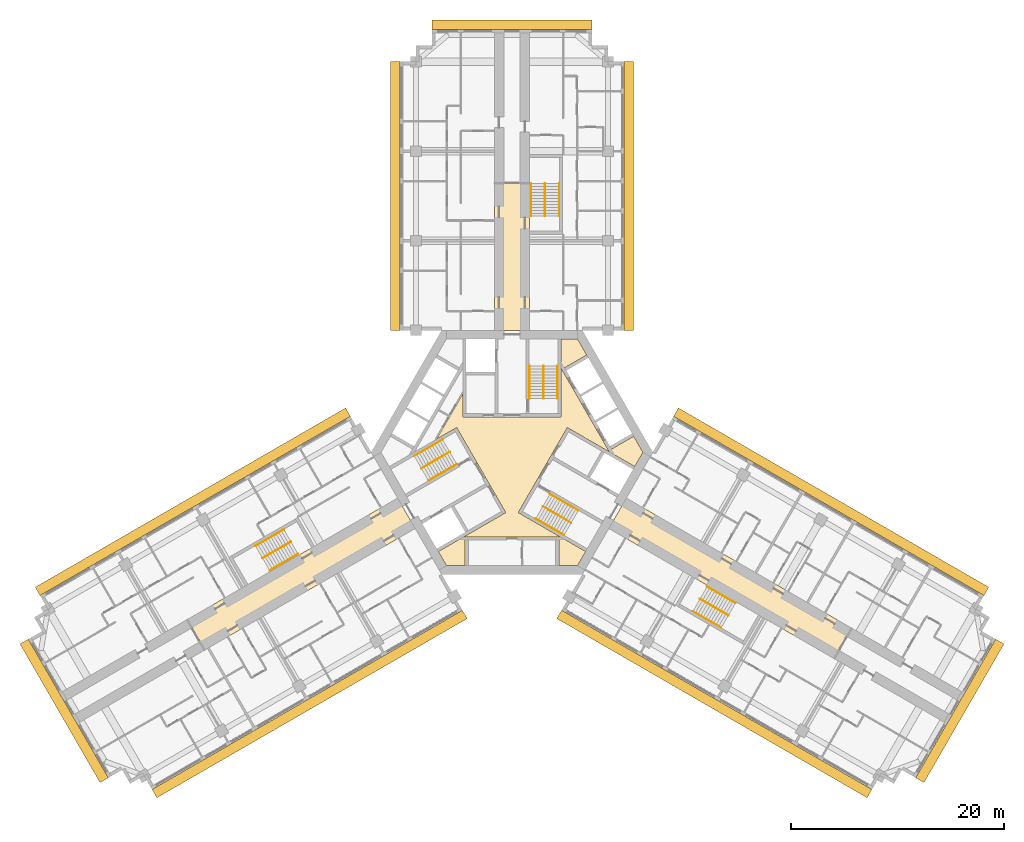
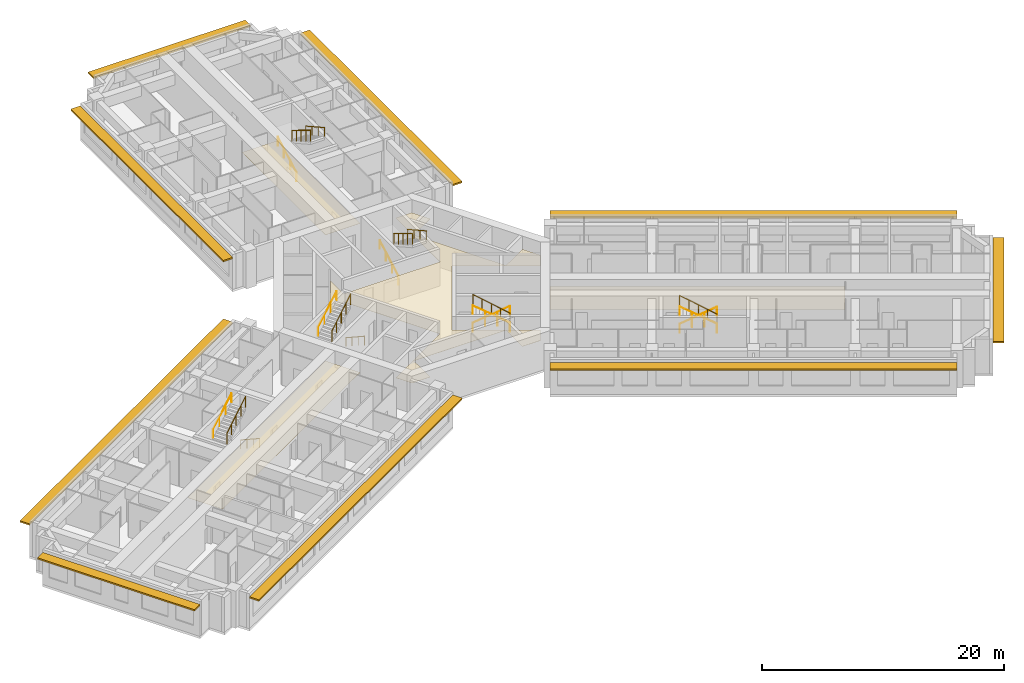
# One storey, part 14 of 14: 18 railings, 4 coverings, 3 shading devices.
"""IFC4 building model written with IfcOpenShell, lengths in metres."""

from ifc_helpers import new_model, si_unit, direction, frame, origin, origin_2d, place, context, subcontext, project, spatial, polyline, rectangle, circle, outline, extrude, material, layer, layer_set, type_object, element, save


model = new_model("IFC4")

# Units and contexts
model_context = context("Model", 3, precision=1e-05, world=origin(), true_north=direction((0.0, 1.0)))
body_context = subcontext(model_context, "Body", "Model", "MODEL_VIEW")
ifc_project = project(units=[si_unit("LENGTHUNIT", "METRE"), si_unit("AREAUNIT", "SQUARE_METRE"), si_unit("VOLUMEUNIT", "CUBIC_METRE"), si_unit("PLANEANGLEUNIT", "RADIAN"), si_unit("MASSUNIT", "GRAM", prefix="KILO")], contexts=[model_context])

# Site, building, storey
site_placement = place(None, origin())
site = spatial("IfcSite", under=ifc_project, at=site_placement, CompositionType="ELEMENT")
building_placement = place(site_placement, origin())
building = spatial("IfcBuilding", under=site, at=building_placement, Name="Impinga Residences", CompositionType="ELEMENT")
storey_placement = place(building_placement, frame((0.0, 0.0, 117.25)))
storey = spatial("IfcBuildingStorey", under=building, at=storey_placement, Name="L28", CompositionType="ELEMENT", Elevation=117.25)

# Coverings
ifc_material_1 = material(Name="Plasterboard 15 mm on steel hangers", Category="steel")
ifc_layer_1 = layer(ifc_material_1, 0.014892578125)
ifc_layer_set_1 = layer_set([ifc_layer_1], Name="Plasterboard 15 mm on steel hangers")
covering_type_1 = type_object("IfcCoveringType", Name="CL1 corridor ceiling, 15 mm plasterboard on hangers", PredefinedType="CEILING", material=ifc_layer_set_1)
covering_1_placement = place(storey_placement, frame((0.0, 0.0, 2.39990234375)))
element("IfcCovering", 1, at=covering_1_placement, inside=storey, type_object=covering_type_1, Name="Corridor ceiling CL1 L28-N00", PredefinedType="CEILING", context=body_context, shape_type="SweptSolid", body=[
    extrude(outline(polyline([(-1.64990234375, 11.431640625), (1.64990234375, 11.431640625), (1.64990234375, 25.181640625), (-1.64990234375, 25.181640625), (-1.64990234375, 11.431640625)])), origin(), (0.0, 0.0, 1.0), 0.01513671875),
])
covering_2_placement = place(storey_placement, frame((0.0, 0.0, 2.39990234375)))
element("IfcCovering", 2, at=covering_2_placement, inside=storey, type_object=covering_type_1, Name="Corridor ceiling CL1 L28-W00", PredefinedType="CEILING", context=body_context, shape_type="SweptSolid", body=[
    extrude(outline(polyline([(-9.074951171875, -7.144775390625), (-10.72509765625, -4.286865234375), (-30.427001953125, -15.661865234375), (-28.777099609375, -18.519775390625), (-9.074951171875, -7.144775390625)])), origin(), (0.0, 0.0, 1.0), 0.01513671875),
])
covering_3_placement = place(storey_placement, frame((0.0, 0.0, 2.39990234375)))
element("IfcCovering", 3, at=covering_3_placement, inside=storey, type_object=covering_type_1, Name="Corridor ceiling CL1 L28-E00", PredefinedType="CEILING", context=body_context, shape_type="SweptSolid", body=[
    extrude(outline(polyline([(10.72509765625, -4.286865234375), (9.074951171875, -7.144775390625), (30.16259765625, -19.31982421875), (31.812744140625, -16.4619140625), (10.72509765625, -4.286865234375)])), origin(), (0.0, 0.0, 1.0), 0.01513671875),
])
ifc_material_2 = material(Name="Mineral fibre tiles 20 mm on exposed grid", Category="mineral fibre")
ifc_layer_2 = layer(ifc_material_2, 0.02001953125)
ifc_layer_set_2 = layer_set([ifc_layer_2], Name="CL2 lift lobby ceiling, 20 mm mineral fibre tiles")
covering_type_2 = type_object("IfcCoveringType", Name="CL2 lift lobby ceiling, 20 mm mineral fibre tiles", PredefinedType="CEILING", material=ifc_layer_set_2)
covering_4_placement = place(storey_placement, frame((0.0, 0.0, 2.39990234375)))
element("IfcCovering", 4, at=covering_4_placement, inside=storey, type_object=covering_type_2, Name="Lift lobby ceiling CL2 L28-C01", PredefinedType="CEILING", context=body_context, shape_type="SweptSolid", body=[
    extrude(outline(polyline([(5.183837890625, 2.318603515625), (0.583984375, -5.648681640625), (6.9072265625, -9.299560546875), (6.13818359375, -10.631591796875), (4.39990234375, -10.631591796875), (4.39990234375, -7.931640625), (-4.39990234375, -7.931640625), (-4.39990234375, -10.631591796875), (-6.13818359375, -10.631591796875), (-6.9072265625, -9.299560546875), (-0.583984375, -5.648681640625), (-5.183837890625, 2.318603515625), (-7.059326171875, 1.23583984375), (-4.60009765625, 5.49560546875), (-4.60009765625, 3.330078125), (4.60009765625, 3.330078125), (4.60009765625, 10.631591796875), (6.13818359375, 10.631591796875), (7.007080078125, 9.126220703125), (4.6689453125, 7.7763671875), (9.06884765625, 0.1552734375), (11.4072265625, 1.50537109375), (12.276123046875, 0.0), (11.507080078125, -1.33203125), (5.183837890625, 2.318603515625)])), origin(), (0.0, 0.0, 1.0), 0.02001953125),
])

# Railings
ifc_material_3 = material(Name="Steel guard, powder coated", Category="steel")
railing_type_1 = type_object("IfcRailingType", Name="GR1 stair guard 1100", PredefinedType="GUARDRAIL", material=ifc_material_3)
railing_1_placement = place(storey_placement, frame((2.949951171875, 8.110107421875, 1.875)))
element("IfcRailing", 5, at=railing_1_placement, inside=storey, type_object=railing_type_1, Name="Stair guard GR1 ST1 L28", PredefinedType="GUARDRAIL", context=body_context, shape_type="SweptSolid", body=[
    extrude(circle(Radius=0.02392578125, at=origin_2d()), frame((0.0, 0.0, 1.076171875), z_axis=(0.0, -0.854177636135, 0.519981313056), x_axis=(1.0, 0.0, 0.0)), (0.0, 0.0, 1.0), 3.60595703125),
    extrude(circle(Radius=0.02099609375, at=origin_2d()), origin(), (0.0, 0.0, 1.0), 1.052001953125),
    extrude(circle(Radius=0.02099609375, at=origin_2d()), frame((0.0, -0.77001953125, 0.46875)), (0.0, 0.0, 1.0), 1.052001953125),
    extrude(circle(Radius=0.02099609375, at=origin_2d()), frame((0.0, -1.5400390625, 0.9375)), (0.0, 0.0, 1.0), 1.052001953125),
    extrude(circle(Radius=0.02099609375, at=origin_2d()), frame((0.0, -2.31005859375, 1.40625)), (0.0, 0.0, 1.0), 1.052001953125),
    extrude(circle(Radius=0.02099609375, at=origin_2d()), frame((0.0, -3.080078125, 1.875)), (0.0, 0.0, 1.0), 1.052001953125),
])
railing_2_placement = place(storey_placement, frame((-8.49853515625, -1.500244140625, 1.875)))
element("IfcRailing", 6, at=railing_2_placement, inside=storey, type_object=railing_type_1, Name="Stair guard GR1 ST2 L28", PredefinedType="GUARDRAIL", context=body_context, shape_type="SweptSolid", body=[
    extrude(circle(Radius=0.02392578125, at=origin_2d()), frame((0.0, 0.0, 1.076171875), z_axis=(0.739746383972, 0.427084037168, 0.519975492303), x_axis=(-0.499992328818, 0.866029832698, 0.0)), (0.0, 0.0, 1.0), 3.60595703125),
    extrude(circle(Radius=0.02099609375, at=origin_2d()), origin(), (0.0, 0.0, 1.0), 1.052001953125),
    extrude(circle(Radius=0.02099609375, at=origin_2d()), frame((0.6669921875, 0.385009765625, 0.46875)), (0.0, 0.0, 1.0), 1.052001953125),
    extrude(circle(Radius=0.02099609375, at=origin_2d()), frame((1.333740234375, 0.77001953125, 0.9375)), (0.0, 0.0, 1.0), 1.052001953125),
    extrude(circle(Radius=0.02099609375, at=origin_2d()), frame((2.00048828125, 1.155029296875, 1.40625)), (0.0, 0.0, 1.0), 1.052001953125),
    extrude(circle(Radius=0.02099609375, at=origin_2d()), frame((2.66748046875, 1.5400390625, 1.875)), (0.0, 0.0, 1.0), 1.052001953125),
])
railing_3_placement = place(storey_placement, frame((5.548583984375, -6.60986328125, 1.875)))
element("IfcRailing", 7, at=railing_3_placement, inside=storey, type_object=railing_type_1, Name="Stair guard GR1 ST3 L28", PredefinedType="GUARDRAIL", context=body_context, shape_type="SweptSolid", body=[
    extrude(circle(Radius=0.02392578125, at=origin_2d()), frame((0.0, 0.0, 1.076171875), z_axis=(-0.739746383972, 0.427084037168, 0.519975492303), x_axis=(-0.499992328818, -0.866029832698, 0.0)), (0.0, 0.0, 1.0), 3.60595703125),
    extrude(circle(Radius=0.02099609375, at=origin_2d()), origin(), (0.0, 0.0, 1.0), 1.052001953125),
    extrude(circle(Radius=0.02099609375, at=origin_2d()), frame((-0.6669921875, 0.385009765625, 0.46875)), (0.0, 0.0, 1.0), 1.052001953125),
    extrude(circle(Radius=0.02099609375, at=origin_2d()), frame((-1.333740234375, 0.77001953125, 0.9375)), (0.0, 0.0, 1.0), 1.052001953125),
    extrude(circle(Radius=0.02099609375, at=origin_2d()), frame((-2.00048828125, 1.155029296875, 1.40625)), (0.0, 0.0, 1.0), 1.052001953125),
    extrude(circle(Radius=0.02099609375, at=origin_2d()), frame((-2.66748046875, 1.5400390625, 1.875)), (0.0, 0.0, 1.0), 1.052001953125),
])
railing_4_placement = place(storey_placement, frame((3.10009765625, 25.21142578125, 1.875)))
element("IfcRailing", 8, at=railing_4_placement, inside=storey, type_object=railing_type_1, Name="Stair guard GR1 WS1 L28", PredefinedType="GUARDRAIL", context=body_context, shape_type="SweptSolid", body=[
    extrude(circle(Radius=0.02392578125, at=origin_2d()), frame((0.0, 0.0, 1.076171875), z_axis=(0.0, -0.854159328187, 0.520011386482), x_axis=(1.0, 0.0, 0.0)), (0.0, 0.0, 1.0), 3.605712890625),
    extrude(circle(Radius=0.02099609375, at=origin_2d()), origin(), (0.0, 0.0, 1.0), 1.052001953125),
    extrude(circle(Radius=0.02099609375, at=origin_2d()), frame((0.0, -0.77001953125, 0.46875)), (0.0, 0.0, 1.0), 1.052001953125),
    extrude(circle(Radius=0.02099609375, at=origin_2d()), frame((0.0, -1.5400390625, 0.9375)), (0.0, 0.0, 1.0), 1.052001953125),
    extrude(circle(Radius=0.02099609375, at=origin_2d()), frame((0.0, -2.309814453125, 1.40625)), (0.0, 0.0, 1.0), 1.052001953125),
    extrude(circle(Radius=0.02099609375, at=origin_2d()), frame((0.0, -3.079833984375, 1.875)), (0.0, 0.0, 1.0), 1.052001953125),
])
railing_5_placement = place(storey_placement, frame((-23.3837890625, -9.921142578125, 1.875)))
element("IfcRailing", 9, at=railing_5_placement, inside=storey, type_object=railing_type_1, Name="Stair guard GR1 WS2 L28", PredefinedType="GUARDRAIL", context=body_context, shape_type="SweptSolid", body=[
    extrude(circle(Radius=0.02392578125, at=origin_2d()), frame((0.0, 0.0, 1.076171875), z_axis=(0.739715726454, 0.427105428144, 0.52000153585), x_axis=(-0.500026652407, 0.866010015463, 0.0)), (0.0, 0.0, 1.0), 3.605712890625),
    extrude(circle(Radius=0.02099609375, at=origin_2d()), origin(), (0.0, 0.0, 1.0), 1.052001953125),
    extrude(circle(Radius=0.02099609375, at=origin_2d()), frame((0.666748046875, 0.385009765625, 0.46875)), (0.0, 0.0, 1.0), 1.052001953125),
    extrude(circle(Radius=0.02099609375, at=origin_2d()), frame((1.33349609375, 0.77001953125, 0.9375)), (0.0, 0.0, 1.0), 1.052001953125),
    extrude(circle(Radius=0.02099609375, at=origin_2d()), frame((2.00048828125, 1.155029296875, 1.40625)), (0.0, 0.0, 1.0), 1.052001953125),
    extrude(circle(Radius=0.02099609375, at=origin_2d()), frame((2.667236328125, 1.5400390625, 1.875)), (0.0, 0.0, 1.0), 1.052001953125),
])
railing_6_placement = place(storey_placement, frame((20.283935546875, -15.29052734375, 1.875)))
element("IfcRailing", 10, at=railing_6_placement, inside=storey, type_object=railing_type_1, Name="Stair guard GR1 WS3 L28", PredefinedType="GUARDRAIL", context=body_context, shape_type="SweptSolid", body=[
    extrude(circle(Radius=0.02392578125, at=origin_2d()), frame((0.0, 0.0, 1.076171875), z_axis=(-0.739746383972, 0.427084037168, 0.519975492303), x_axis=(-0.499992328818, -0.866029832698, 0.0)), (0.0, 0.0, 1.0), 3.60595703125),
    extrude(circle(Radius=0.02099609375, at=origin_2d()), origin(), (0.0, 0.0, 1.0), 1.052001953125),
    extrude(circle(Radius=0.02099609375, at=origin_2d()), frame((-0.6669921875, 0.385009765625, 0.46875)), (0.0, 0.0, 1.0), 1.052001953125),
    extrude(circle(Radius=0.02099609375, at=origin_2d()), frame((-1.333740234375, 0.77001953125, 0.9375)), (0.0, 0.0, 1.0), 1.052001953125),
    extrude(circle(Radius=0.02099609375, at=origin_2d()), frame((-2.00048828125, 1.155029296875, 1.40625)), (0.0, 0.0, 1.0), 1.052001953125),
    extrude(circle(Radius=0.02099609375, at=origin_2d()), frame((-2.66748046875, 1.5400390625, 1.875)), (0.0, 0.0, 1.0), 1.052001953125),
])
ifc_material_4 = material(Name="Steel handrail tube 42 mm, powder coated", Category="steel")
railing_type_2 = type_object("IfcRailingType", Name="HR1 stair handrail, 42 mm steel tube, 900 above the pitch line", PredefinedType="HANDRAIL", material=ifc_material_4)
railing_7_placement = place(storey_placement, frame((1.62109375, 5.030029296875, 0.15625)))
element("IfcRailing", 11, at=railing_7_placement, inside=storey, type_object=railing_type_2, Name="Stair handrail HR1 ST1 L28", PredefinedType="HANDRAIL", context=body_context, shape_type="SweptSolid", body=[
    extrude(circle(Radius=0.02099609375, at=origin_2d()), frame((0.0, 0.0, 0.87890625), z_axis=(0.0, 0.873241540666, 0.487287606713), x_axis=(-1.0, 0.0, 0.0)), (0.0, 0.0, 1.0), 3.527099609375),
    extrude(circle(Radius=0.012451171875, at=origin_2d()), origin(), (0.0, 0.0, 1.0), 0.85791015625),
    extrude(circle(Radius=0.012451171875, at=origin_2d()), frame((0.0, 1.026611328125, 0.572998046875)), (0.0, 0.0, 1.0), 0.85791015625),
    extrude(circle(Radius=0.012451171875, at=origin_2d()), frame((0.0, 2.053466796875, 1.145751953125)), (0.0, 0.0, 1.0), 0.85791015625),
    extrude(circle(Radius=0.012451171875, at=origin_2d()), frame((0.0, 3.080078125, 1.71875)), (0.0, 0.0, 1.0), 0.85791015625),
])
railing_8_placement = place(storey_placement, frame((4.279052734375, 8.110107421875, 2.03125)))
element("IfcRailing", 12, at=railing_8_placement, inside=storey, type_object=railing_type_2, Name="Stair handrail HR1 ST1 L28", PredefinedType="HANDRAIL", context=body_context, shape_type="SweptSolid", body=[
    extrude(circle(Radius=0.02099609375, at=origin_2d()), frame((0.0, 0.0, 0.87890625), z_axis=(0.0, -0.873241540666, 0.487287606713), x_axis=(1.0, 0.0, 0.0)), (0.0, 0.0, 1.0), 3.527099609375),
    extrude(circle(Radius=0.012451171875, at=origin_2d()), origin(), (0.0, 0.0, 1.0), 0.85791015625),
    extrude(circle(Radius=0.012451171875, at=origin_2d()), frame((0.0, -1.026611328125, 0.572998046875)), (0.0, 0.0, 1.0), 0.85791015625),
    extrude(circle(Radius=0.012451171875, at=origin_2d()), frame((0.0, -2.053466796875, 1.145751953125)), (0.0, 0.0, 1.0), 0.85791015625),
    extrude(circle(Radius=0.012451171875, at=origin_2d()), frame((0.0, -3.080078125, 1.71875)), (0.0, 0.0, 1.0), 0.85791015625),
])
railing_9_placement = place(storey_placement, frame((-5.16650390625, -1.111083984375, 0.15625)))
element("IfcRailing", 13, at=railing_9_placement, inside=storey, type_object=railing_type_2, Name="Stair handrail HR1 ST2 L28", PredefinedType="HANDRAIL", context=body_context, shape_type="SweptSolid", body=[
    extrude(circle(Radius=0.02099609375, at=origin_2d()), frame((0.0, 0.0, 0.87890625), z_axis=(-0.756255980417, -0.436615662133, 0.487281905742), x_axis=(0.499992328818, -0.866029832698, 0.0)), (0.0, 0.0, 1.0), 3.527099609375),
    extrude(circle(Radius=0.012451171875, at=origin_2d()), origin(), (0.0, 0.0, 1.0), 0.85791015625),
    extrude(circle(Radius=0.012451171875, at=origin_2d()), frame((-0.88916015625, -0.513427734375, 0.572998046875)), (0.0, 0.0, 1.0), 0.85791015625),
    extrude(circle(Radius=0.012451171875, at=origin_2d()), frame((-1.7783203125, -1.026611328125, 1.145751953125)), (0.0, 0.0, 1.0), 0.85791015625),
    extrude(circle(Radius=0.012451171875, at=origin_2d()), frame((-2.66748046875, -1.5400390625, 1.71875)), (0.0, 0.0, 1.0), 0.85791015625),
])
railing_10_placement = place(storey_placement, frame((-9.1630859375, -0.349365234375, 2.03125)))
element("IfcRailing", 14, at=railing_10_placement, inside=storey, type_object=railing_type_2, Name="Stair handrail HR1 ST2 L28", PredefinedType="HANDRAIL", context=body_context, shape_type="SweptSolid", body=[
    extrude(circle(Radius=0.02099609375, at=origin_2d()), frame((0.0, 0.0, 0.87890625), z_axis=(0.756255980417, 0.436615662133, 0.487281905742), x_axis=(-0.499992328818, 0.866029832698, 0.0)), (0.0, 0.0, 1.0), 3.527099609375),
    extrude(circle(Radius=0.012451171875, at=origin_2d()), origin(), (0.0, 0.0, 1.0), 0.85791015625),
    extrude(circle(Radius=0.012451171875, at=origin_2d()), frame((0.88916015625, 0.513427734375, 0.572998046875)), (0.0, 0.0, 1.0), 0.85791015625),
    extrude(circle(Radius=0.012451171875, at=origin_2d()), frame((1.7783203125, 1.026611328125, 1.145751953125)), (0.0, 0.0, 1.0), 0.85791015625),
    extrude(circle(Radius=0.012451171875, at=origin_2d()), frame((2.66748046875, 1.5400390625, 1.71875)), (0.0, 0.0, 1.0), 0.85791015625),
])
railing_11_placement = place(storey_placement, frame((3.545654296875, -3.9189453125, 0.15625)))
element("IfcRailing", 15, at=railing_11_placement, inside=storey, type_object=railing_type_2, Name="Stair handrail HR1 ST3 L28", PredefinedType="HANDRAIL", context=body_context, shape_type="SweptSolid", body=[
    extrude(circle(Radius=0.02099609375, at=origin_2d()), frame((0.0, 0.0, 0.87890625), z_axis=(0.756249203677, -0.436582492228, 0.487322141317), x_axis=(0.499967199496, 0.866044340336, 0.0)), (0.0, 0.0, 1.0), 3.52685546875),
    extrude(circle(Radius=0.012451171875, at=origin_2d()), origin(), (0.0, 0.0, 1.0), 0.85791015625),
    extrude(circle(Radius=0.012451171875, at=origin_2d()), frame((0.88916015625, -0.51318359375, 0.572998046875)), (0.0, 0.0, 1.0), 0.85791015625),
    extrude(circle(Radius=0.012451171875, at=origin_2d()), frame((1.778076171875, -1.026611328125, 1.145751953125)), (0.0, 0.0, 1.0), 0.85791015625),
    extrude(circle(Radius=0.012451171875, at=origin_2d()), frame((2.667236328125, -1.539794921875, 1.71875)), (0.0, 0.0, 1.0), 0.85791015625),
])
railing_12_placement = place(storey_placement, frame((4.884033203125, -7.7607421875, 2.03125)))
element("IfcRailing", 16, at=railing_12_placement, inside=storey, type_object=railing_type_2, Name="Stair handrail HR1 ST3 L28", PredefinedType="HANDRAIL", context=body_context, shape_type="SweptSolid", body=[
    extrude(circle(Radius=0.02099609375, at=origin_2d()), frame((0.0, 0.0, 0.87890625), z_axis=(-0.756255980417, 0.436615662133, 0.487281905742), x_axis=(-0.499992328818, -0.866029832698, 0.0)), (0.0, 0.0, 1.0), 3.527099609375),
    extrude(circle(Radius=0.012451171875, at=origin_2d()), origin(), (0.0, 0.0, 1.0), 0.85791015625),
    extrude(circle(Radius=0.012451171875, at=origin_2d()), frame((-0.88916015625, 0.513427734375, 0.572998046875)), (0.0, 0.0, 1.0), 0.85791015625),
    extrude(circle(Radius=0.012451171875, at=origin_2d()), frame((-1.7783203125, 1.026611328125, 1.145751953125)), (0.0, 0.0, 1.0), 0.85791015625),
    extrude(circle(Radius=0.012451171875, at=origin_2d()), frame((-2.66748046875, 1.5400390625, 1.71875)), (0.0, 0.0, 1.0), 0.85791015625),
])
railing_13_placement = place(storey_placement, frame((1.77099609375, 22.131591796875, 0.15625)))
element("IfcRailing", 17, at=railing_13_placement, inside=storey, type_object=railing_type_2, Name="Stair handrail HR1 WS1 L28", PredefinedType="HANDRAIL", context=body_context, shape_type="SweptSolid", body=[
    extrude(circle(Radius=0.02099609375, at=origin_2d()), frame((0.0, 0.0, 0.87890625), z_axis=(0.0, 0.873225103656, 0.487317061414), x_axis=(-1.0, 0.0, 0.0)), (0.0, 0.0, 1.0), 3.52685546875),
    extrude(circle(Radius=0.012451171875, at=origin_2d()), origin(), (0.0, 0.0, 1.0), 0.85791015625),
    extrude(circle(Radius=0.012451171875, at=origin_2d()), frame((0.0, 1.026611328125, 0.572998046875)), (0.0, 0.0, 1.0), 0.85791015625),
    extrude(circle(Radius=0.012451171875, at=origin_2d()), frame((0.0, 2.05322265625, 1.145751953125)), (0.0, 0.0, 1.0), 0.85791015625),
    extrude(circle(Radius=0.012451171875, at=origin_2d()), frame((0.0, 3.079833984375, 1.71875)), (0.0, 0.0, 1.0), 0.85791015625),
])
railing_14_placement = place(storey_placement, frame((4.428955078125, 25.21142578125, 2.03125)))
element("IfcRailing", 18, at=railing_14_placement, inside=storey, type_object=railing_type_2, Name="Stair handrail HR1 WS1 L28", PredefinedType="HANDRAIL", context=body_context, shape_type="SweptSolid", body=[
    extrude(circle(Radius=0.02099609375, at=origin_2d()), frame((0.0, 0.0, 0.87890625), z_axis=(0.0, -0.873225103656, 0.487317061414), x_axis=(1.0, 0.0, 0.0)), (0.0, 0.0, 1.0), 3.52685546875),
    extrude(circle(Radius=0.012451171875, at=origin_2d()), origin(), (0.0, 0.0, 1.0), 0.85791015625),
    extrude(circle(Radius=0.012451171875, at=origin_2d()), frame((0.0, -1.026611328125, 0.572998046875)), (0.0, 0.0, 1.0), 0.85791015625),
    extrude(circle(Radius=0.012451171875, at=origin_2d()), frame((0.0, -2.05322265625, 1.145751953125)), (0.0, 0.0, 1.0), 0.85791015625),
    extrude(circle(Radius=0.012451171875, at=origin_2d()), frame((0.0, -3.079833984375, 1.71875)), (0.0, 0.0, 1.0), 0.85791015625),
])
railing_15_placement = place(storey_placement, frame((-20.052001953125, -9.531982421875, 0.15625)))
element("IfcRailing", 19, at=railing_15_placement, inside=storey, type_object=railing_type_2, Name="Stair handrail HR1 WS2 L28", PredefinedType="HANDRAIL", context=body_context, shape_type="SweptSolid", body=[
    extrude(circle(Radius=0.02099609375, at=origin_2d()), frame((0.0, 0.0, 0.87890625), z_axis=(-0.756226348243, -0.436638517594, 0.487307413422), x_axis=(0.500026652407, -0.866010015463, 0.0)), (0.0, 0.0, 1.0), 3.527099609375),
    extrude(circle(Radius=0.012451171875, at=origin_2d()), origin(), (0.0, 0.0, 1.0), 0.85791015625),
    extrude(circle(Radius=0.012451171875, at=origin_2d()), frame((-0.88916015625, -0.513427734375, 0.572998046875)), (0.0, 0.0, 1.0), 0.85791015625),
    extrude(circle(Radius=0.012451171875, at=origin_2d()), frame((-1.778076171875, -1.026611328125, 1.145751953125)), (0.0, 0.0, 1.0), 0.85791015625),
    extrude(circle(Radius=0.012451171875, at=origin_2d()), frame((-2.667236328125, -1.5400390625, 1.71875)), (0.0, 0.0, 1.0), 0.85791015625),
])
railing_16_placement = place(storey_placement, frame((-24.04833984375, -8.77001953125, 2.03125)))
element("IfcRailing", 20, at=railing_16_placement, inside=storey, type_object=railing_type_2, Name="Stair handrail HR1 WS2 L28", PredefinedType="HANDRAIL", context=body_context, shape_type="SweptSolid", body=[
    extrude(circle(Radius=0.02099609375, at=origin_2d()), frame((0.0, 0.0, 0.87890625), z_axis=(0.756278834354, 0.436559638319, 0.487296631324), x_axis=(-0.499932877268, 0.866064153644, 0.0)), (0.0, 0.0, 1.0), 3.527099609375),
    extrude(circle(Radius=0.012451171875, at=origin_2d()), origin(), (0.0, 0.0, 1.0), 0.85791015625),
    extrude(circle(Radius=0.012451171875, at=origin_2d()), frame((0.88916015625, 0.51318359375, 0.572998046875)), (0.0, 0.0, 1.0), 0.85791015625),
    extrude(circle(Radius=0.012451171875, at=origin_2d()), frame((1.7783203125, 1.026611328125, 1.145751953125)), (0.0, 0.0, 1.0), 0.85791015625),
    extrude(circle(Radius=0.012451171875, at=origin_2d()), frame((2.66748046875, 1.539794921875, 1.71875)), (0.0, 0.0, 1.0), 0.85791015625),
])
railing_17_placement = place(storey_placement, frame((18.281005859375, -12.599609375, 0.15625)))
element("IfcRailing", 21, at=railing_17_placement, inside=storey, type_object=railing_type_2, Name="Stair handrail HR1 WS3 L28", PredefinedType="HANDRAIL", context=body_context, shape_type="SweptSolid", body=[
    extrude(circle(Radius=0.02099609375, at=origin_2d()), frame((0.0, 0.0, 0.87890625), z_axis=(0.756249203677, -0.436582492228, 0.487322141317), x_axis=(0.499967199496, 0.866044340336, 0.0)), (0.0, 0.0, 1.0), 3.52685546875),
    extrude(circle(Radius=0.012451171875, at=origin_2d()), origin(), (0.0, 0.0, 1.0), 0.85791015625),
    extrude(circle(Radius=0.012451171875, at=origin_2d()), frame((0.88916015625, -0.51318359375, 0.572998046875)), (0.0, 0.0, 1.0), 0.85791015625),
    extrude(circle(Radius=0.012451171875, at=origin_2d()), frame((1.778076171875, -1.026611328125, 1.145751953125)), (0.0, 0.0, 1.0), 0.85791015625),
    extrude(circle(Radius=0.012451171875, at=origin_2d()), frame((2.667236328125, -1.539794921875, 1.71875)), (0.0, 0.0, 1.0), 0.85791015625),
])
railing_18_placement = place(storey_placement, frame((19.619384765625, -16.44140625, 2.03125)))
element("IfcRailing", 22, at=railing_18_placement, inside=storey, type_object=railing_type_2, Name="Stair handrail HR1 WS3 L28", PredefinedType="HANDRAIL", context=body_context, shape_type="SweptSolid", body=[
    extrude(circle(Radius=0.02099609375, at=origin_2d()), frame((0.0, 0.0, 0.87890625), z_axis=(-0.756255980417, 0.436615662133, 0.487281905742), x_axis=(-0.499992328818, -0.866029832698, 0.0)), (0.0, 0.0, 1.0), 3.527099609375),
    extrude(circle(Radius=0.012451171875, at=origin_2d()), origin(), (0.0, 0.0, 1.0), 0.85791015625),
    extrude(circle(Radius=0.012451171875, at=origin_2d()), frame((-0.88916015625, 0.513427734375, 0.572998046875)), (0.0, 0.0, 1.0), 0.85791015625),
    extrude(circle(Radius=0.012451171875, at=origin_2d()), frame((-1.7783203125, 1.026611328125, 1.145751953125)), (0.0, 0.0, 1.0), 0.85791015625),
    extrude(circle(Radius=0.012451171875, at=origin_2d()), frame((-2.66748046875, 1.5400390625, 1.71875)), (0.0, 0.0, 1.0), 0.85791015625),
])

# Shading devices
ifc_material_5 = material(Name="Terracotta sunshade blades on aluminium brackets", Category="masonry")
ifc_layer_3 = layer(ifc_material_5, 0.14990234375)
ifc_layer_set_3 = layer_set([ifc_layer_3], Name="SS1 SUNSHADE terracotta sunshade band 900")
shading_device_type = type_object("IfcShadingDeviceType", Name="SS1 SUNSHADE terracotta sunshade band 900", PredefinedType="USERDEFINED", material=ifc_layer_set_3)
shading_device_1_placement = place(storey_placement, frame((-10.949951171875, 24.031494140625, 3.10009765625), z_axis=(0.0, 0.0, 1.0), x_axis=(0.0, 1.0, 0.0)))
element("IfcShadingDevice", 23, at=shading_device_1_placement, inside=storey, type_object=shading_device_type, Name="SUNSHADE band L28 NORTH WING", ObjectType="SUNSHADE", PredefinedType="USERDEFINED", context=body_context, shape_type="SweptSolid", body=[
    extrude(rectangle(XDim=25.199951171875, YDim=0.89990234375, at=origin_2d()), origin(), (0.0, 0.0, 1.0), 0.14990234375),
    extrude(rectangle(XDim=15.0, YDim=0.89990234375, at=origin_2d()), frame((16.050048828125, -10.949951171875, 0.0), z_axis=(0.0, 0.0, 1.0), x_axis=(0.0, -1.0, 0.0)), (0.0, 0.0, 1.0), 0.14990234375),
    extrude(rectangle(XDim=25.199951171875, YDim=0.89990234375, at=origin_2d()), frame((0.0, -21.89990234375, 0.0), z_axis=(0.0, 0.0, 1.0), x_axis=(-1.0, 0.0, 0.0)), (0.0, 0.0, 1.0), 0.14990234375),
])
shading_device_2_placement = place(storey_placement, frame((-41.986328125, -24.24072265625, 3.10009765625), z_axis=(0.0, 0.0, 1.0), x_axis=(-0.5, 0.866025403784, 0.0)))
element("IfcShadingDevice", 24, at=shading_device_2_placement, inside=storey, type_object=shading_device_type, Name="SUNSHADE band L28 WEST WING", ObjectType="SUNSHADE", PredefinedType="USERDEFINED", context=body_context, shape_type="SweptSolid", body=[
    extrude(rectangle(XDim=15.0, YDim=0.89990234375, at=origin_2d()), origin(), (0.0, 0.0, 1.0), 0.14990234375),
    extrude(rectangle(XDim=33.60009765625, YDim=0.89990234375, at=origin_2d()), frame((10.949951171875, -20.25, 0.0), z_axis=(0.0, 0.0, 1.0), x_axis=(0.0, -1.0, 0.0)), (0.0, 0.0, 1.0), 0.14990234375),
    extrude(rectangle(XDim=33.60009765625, YDim=0.89990234375, at=origin_2d()), frame((-10.949951171875, -20.250244140625, 0.0), z_axis=(0.0, 0.0, 1.0), x_axis=(0.0, 1.0, 0.0)), (0.0, 0.0, 1.0), 0.14990234375),
])
shading_device_3_placement = place(storey_placement, frame((29.92431640625, -4.6328125, 3.10009765625), z_axis=(0.0, 0.0, 1.0), x_axis=(0.866025403784, -0.5, 0.0)))
element("IfcShadingDevice", 25, at=shading_device_3_placement, inside=storey, type_object=shading_device_type, Name="SUNSHADE band L28 EAST WING", ObjectType="SUNSHADE", PredefinedType="USERDEFINED", context=body_context, shape_type="SweptSolid", body=[
    extrude(rectangle(XDim=33.60009765625, YDim=0.89990234375, at=origin_2d()), origin(), (0.0, 0.0, 1.0), 0.14990234375),
    extrude(rectangle(XDim=15.0, YDim=0.89990234375, at=origin_2d()), frame((20.25, -10.949951171875, 0.0), z_axis=(0.0, 0.0, 1.0), x_axis=(0.0, -1.0, 0.0)), (0.0, 0.0, 1.0), 0.14990234375),
    extrude(rectangle(XDim=33.60009765625, YDim=0.89990234375, at=origin_2d()), frame((-0.000244140625, -21.89990234375, 0.0), z_axis=(0.0, 0.0, 1.0), x_axis=(-1.0, 0.0, 0.0)), (0.0, 0.0, 1.0), 0.14990234375),
])

save(model, "model.ifc")
